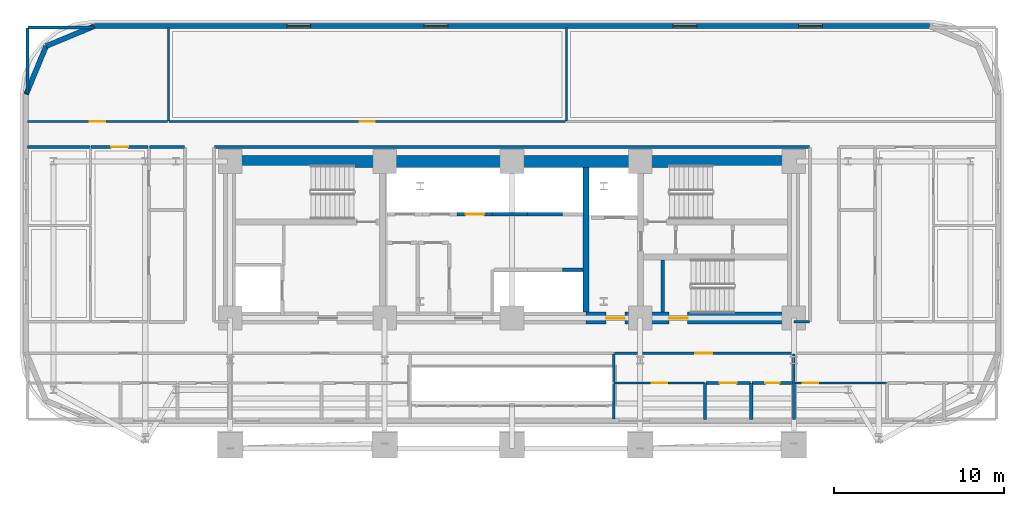
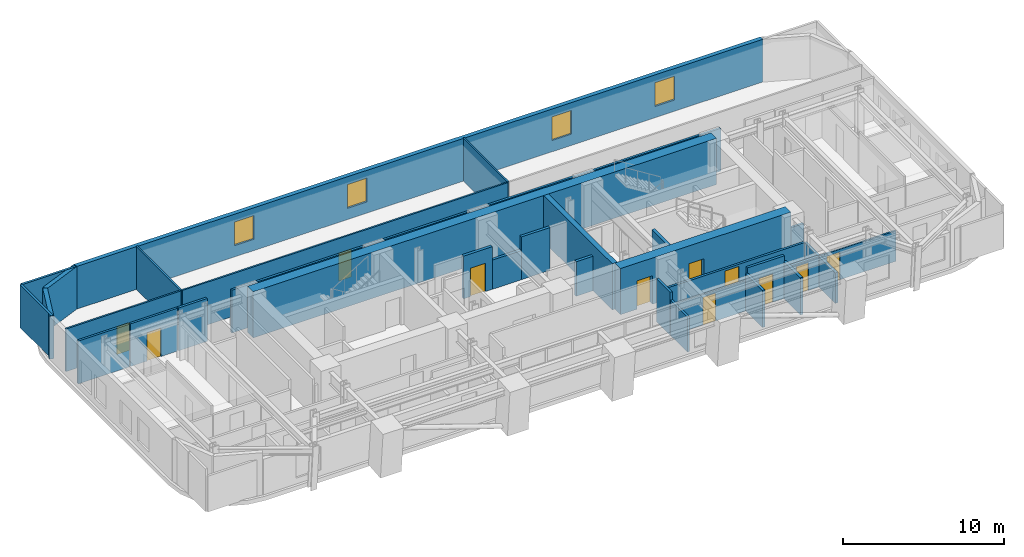
# One storey, part 10 of 16: 33 walls, 11 doors, 4 windows, 15 openings.
"""IFC4 building model written with IfcOpenShell, lengths in metres."""

from ifc_helpers import new_model, si_unit, direction, frame, frame_2d, origin, place, context, subcontext, project, spatial, rectangle, extrude, material, layer, layer_set, type_object, element, fill, save


model = new_model("IFC4")

# Units and contexts
model_context = context("Model", 3, precision=1e-05, world=origin(), true_north=direction((0.0, 1.0)))
body_context = subcontext(model_context, "Body", "Model", "MODEL_VIEW")
ifc_project = project(units=[si_unit("LENGTHUNIT", "METRE"), si_unit("AREAUNIT", "SQUARE_METRE"), si_unit("VOLUMEUNIT", "CUBIC_METRE"), si_unit("PLANEANGLEUNIT", "RADIAN"), si_unit("MASSUNIT", "GRAM", prefix="KILO")], contexts=[model_context])

# Site, building, storey
site_placement = place(None, origin())
site = spatial("IfcSite", under=ifc_project, at=site_placement, CompositionType="ELEMENT")
building_placement = place(site_placement, origin())
building = spatial("IfcBuilding", under=site, at=building_placement, Name="Zarnavel Station Tower", CompositionType="ELEMENT")
storey_placement = place(building_placement, frame((0.0, 0.0, 64.0)))
storey = spatial("IfcBuildingStorey", under=building, at=storey_placement, Name="L17", CompositionType="ELEMENT", Elevation=64.0)

# Walls
ifc_material_1 = material(Name="Concrete C50/60", Category="concrete")
ifc_layer_1 = layer(ifc_material_1, 0.35009765625)
ifc_layer_set_1 = layer_set([ifc_layer_1], Name="CW_350")
wall_type_1 = type_object("IfcWallType", Name="CW_350", PredefinedType="SHEAR", material=ifc_layer_set_1)
wall_1_placement = place(storey_placement, frame((33.14990234375, 28.169921875, 0.0), z_axis=(0.0, 0.0, 1.0), x_axis=(0.0, 1.0, 0.0)))
element("IfcWall", 1, at=wall_1_placement, inside=storey, type_object=wall_type_1, Name="L17 Rear Core Shear Wall DIV-E", PredefinedType="SHEAR", context=body_context, shape_type="SweptSolid", body=[
    extrude(rectangle(XDim=8.530029296875, YDim=0.35009765625, at=frame_2d((4.26513671875, 0.0))), origin(), (0.0, 0.0, 1.0), 3.5),
])
ifc_material_2 = material(Name="Concrete C60/75", Category="concrete")
ifc_layer_2 = layer(ifc_material_2, 0.699951171875)
ifc_layer_set_2 = layer_set([ifc_layer_2], Name="CW_700")
wall_type_2 = type_object("IfcWallType", Name="CW_700", PredefinedType="SHEAR", material=ifc_layer_set_2)
wall_2_placement = place(storey_placement, frame((12.14990234375, 37.050048828125, 0.0), z_axis=(0.0, 0.0, 1.0), x_axis=(1.0, 0.0, 0.0)))
element("IfcWall", 2, at=wall_2_placement, inside=storey, type_object=wall_type_2, Name="L17 Rear Core Shear Wall N", PredefinedType="SHEAR", context=body_context, shape_type="SweptSolid", body=[
    extrude(rectangle(XDim=33.22998046875, YDim=0.699951171875, at=frame_2d((16.614990234375, 0.0))), origin(), (0.0, 0.0, 1.0), 3.5),
])

# Wall, openings, doors
wall_3_placement = place(storey_placement, frame((45.3798828125, 27.820068359375, 0.0), z_axis=(0.0, 0.0, 1.0), x_axis=(-1.0, 0.0, 0.0)))
wall_3 = element("IfcWall", 3, at=wall_3_placement, inside=storey, type_object=wall_type_2, Name="L17 Rear Core Shear Wall S-E", PredefinedType="SHEAR", context=body_context, shape_type="SweptSolid", body=[
    extrude(rectangle(XDim=12.22998046875, YDim=0.699951171875, at=frame_2d((6.114990234375, 0.0))), origin(), (0.0, 0.0, 1.0), 3.5),
])
opening_1_placement = place(wall_3_placement, frame((9.929931640625, 0.0, 0.0)))
opening_1 = element("IfcOpeningElement", 4, at=opening_1_placement, cuts=wall_3, Name="Opening FD01", PredefinedType="OPENING", context=body_context, shape_type="SweptSolid", body=[
    extrude(rectangle(XDim=1.10009765625, YDim=2.14990234375, at=frame_2d((0.550048828125, 1.074951171875))), frame((0.0, 0.35986328125, 0.0), z_axis=(0.0, -1.0, 0.0), x_axis=(1.0, 0.0, 0.0)), (0.0, 0.0, 1.0), 0.719970703125),
])
opening_2_placement = place(wall_3_placement, frame((6.22998046875, 0.0, 0.0)))
opening_2 = element("IfcOpeningElement", 5, at=opening_2_placement, cuts=wall_3, Name="Opening FD01", PredefinedType="OPENING", context=body_context, shape_type="SweptSolid", body=[
    extrude(rectangle(XDim=1.10009765625, YDim=2.14990234375, at=frame_2d((0.550048828125, 1.074951171875))), frame((0.0, 0.35986328125, 0.0), z_axis=(0.0, -1.0, 0.0), x_axis=(1.0, 0.0, 0.0)), (0.0, 0.0, 1.0), 0.719970703125),
])
ifc_material_3 = material(Name="Painted Galvanised Steel and Hardwood Leaf", Category="steel")
door_type_1 = type_object("IfcDoorType", Name="ID_STAIR_1100", OperationType="NOTDEFINED", PredefinedType="DOOR", material=ifc_material_3)
door_1_placement = place(opening_1_placement, origin())
door_1 = element("IfcDoor", 6, at=door_1_placement, inside=storey, type_object=door_type_1, Name="L17 East Firefighting Lobby Door", OperationType="SINGLE_SWING_LEFT", OverallHeight=2.14990234375, OverallWidth=1.10009765625, PredefinedType="DOOR", context=body_context, shape_type="SweptSolid", body=[
    extrude(rectangle(XDim=1.10009765625, YDim=2.14990234375, at=frame_2d((0.550048828125, 1.074951171875))), frame((0.0, 0.02490234375, 0.0), z_axis=(0.0, -1.0, 0.0), x_axis=(1.0, 0.0, 0.0)), (0.0, 0.0, 1.0), 0.050048828125),
])
fill(opening_1, door_1)
door_2_placement = place(opening_2_placement, origin())
door_2 = element("IfcDoor", 7, at=door_2_placement, inside=storey, type_object=door_type_1, Name="L17 Stair ST3 Corridor Fire Door", OperationType="SINGLE_SWING_RIGHT", OverallHeight=2.14990234375, OverallWidth=1.10009765625, PredefinedType="DOOR", context=body_context, shape_type="SweptSolid", body=[
    extrude(rectangle(XDim=1.10009765625, YDim=2.14990234375, at=frame_2d((0.550048828125, 1.074951171875))), frame((0.0, 0.02490234375, 0.0), z_axis=(0.0, -1.0, 0.0), x_axis=(1.0, 0.0, 0.0)), (0.0, 0.0, 1.0), 0.050048828125),
])
fill(opening_2, door_2)

# Wall, openings, windows
ifc_material_4 = material(Name="Precast concrete C45/55 (Dark Basalt Finish)", Category="masonry")
ifc_layer_3 = layer(ifc_material_4, 0.300048828125)
ifc_layer_set_3 = layer_set([ifc_layer_3], Name="EW_BASALT_300")
wall_type_3 = type_object("IfcWallType", Name="EW_BASALT_300", PredefinedType="SOLIDWALL", material=ifc_layer_set_3)
wall_4_placement = place(storey_placement, frame((4.199951171875, 45.02001953125, 0.0), z_axis=(0.0, 0.0, 1.0), x_axis=(1.0, 0.0, 0.0)))
wall_4 = element("IfcWall", 8, at=wall_4_placement, inside=storey, type_object=wall_type_3, Name="L17 Exterior Basalt Masonry Frame Wall 06", PredefinedType="SOLIDWALL", context=body_context, shape_type="SweptSolid", body=[
    extrude(rectangle(XDim=49.199951171875, YDim=0.300048828125, at=frame_2d((24.60009765625, 0.0))), origin(), (0.0, 0.0, 1.0), 3.239990234375),
])
opening_3_placement = place(wall_4_placement, frame((11.340087890625, 0.0, 0.85009765625)))
opening_3 = element("IfcOpeningElement", 9, at=opening_3_placement, cuts=wall_4, Name="Opening WN01", PredefinedType="OPENING", context=body_context, shape_type="SweptSolid", body=[
    extrude(rectangle(XDim=1.39990234375, YDim=1.800048828125, at=frame_2d((0.699951171875, 0.89990234375))), frame((0.0, 0.159912109375, 0.0), z_axis=(0.0, -1.0, 0.0), x_axis=(1.0, 0.0, 0.0)), (0.0, 0.0, 1.0), 0.320068359375),
])
opening_4_placement = place(wall_4_placement, frame((19.419921875, 0.0, 0.85009765625)))
opening_4 = element("IfcOpeningElement", 10, at=opening_4_placement, cuts=wall_4, Name="Opening WN01", PredefinedType="OPENING", context=body_context, shape_type="SweptSolid", body=[
    extrude(rectangle(XDim=1.39990234375, YDim=1.800048828125, at=frame_2d((0.699951171875, 0.89990234375))), frame((0.0, 0.159912109375, 0.0), z_axis=(0.0, -1.0, 0.0), x_axis=(1.0, 0.0, 0.0)), (0.0, 0.0, 1.0), 0.320068359375),
])
opening_5_placement = place(wall_4_placement, frame((34.09326171875, 0.0, 0.85009765625)))
opening_5 = element("IfcOpeningElement", 11, at=opening_5_placement, cuts=wall_4, Name="Opening WN01", PredefinedType="OPENING", context=body_context, shape_type="SweptSolid", body=[
    extrude(rectangle(XDim=1.39990234375, YDim=1.800048828125, at=frame_2d((0.699951171875, 0.89990234375))), frame((0.0, 0.159912109375, 0.0), z_axis=(0.0, -1.0, 0.0), x_axis=(1.0, 0.0, 0.0)), (0.0, 0.0, 1.0), 0.320068359375),
])
opening_6_placement = place(wall_4_placement, frame((41.48681640625, 0.0, 0.85009765625)))
opening_6 = element("IfcOpeningElement", 12, at=opening_6_placement, cuts=wall_4, Name="Opening WN01", PredefinedType="OPENING", context=body_context, shape_type="SweptSolid", body=[
    extrude(rectangle(XDim=1.39990234375, YDim=1.800048828125, at=frame_2d((0.699951171875, 0.89990234375))), frame((0.0, 0.159912109375, 0.0), z_axis=(0.0, -1.0, 0.0), x_axis=(1.0, 0.0, 0.0)), (0.0, 0.0, 1.0), 0.320068359375),
])
ifc_material_5 = material(Name="Thermally Broken Black Aluminium and Low-E Dark Glass", Category="aluminium")
window_type = type_object("IfcWindowType", Name="WN_1400x1800", PartitioningType="DOUBLE_PANEL_VERTICAL", PredefinedType="WINDOW", material=ifc_material_5)
window_1_placement = place(opening_3_placement, origin())
window_1 = element("IfcWindow", 13, at=window_1_placement, inside=storey, type_object=window_type, Name="L17 Recessed Facade Window 01", OverallHeight=1.800048828125, OverallWidth=1.39990234375, PartitioningType="SINGLE_PANEL", PredefinedType="WINDOW", context=body_context, shape_type="SweptSolid", body=[
    extrude(rectangle(XDim=1.39990234375, YDim=1.800048828125, at=frame_2d((0.699951171875, 0.89990234375))), frame((0.0, 0.030029296875, 0.0), z_axis=(0.0, -1.0, 0.0), x_axis=(1.0, 0.0, 0.0)), (0.0, 0.0, 1.0), 0.06005859375),
])
fill(opening_3, window_1)
window_2_placement = place(opening_4_placement, origin())
window_2 = element("IfcWindow", 14, at=window_2_placement, inside=storey, type_object=window_type, Name="L17 Recessed Facade Window 02", OverallHeight=1.800048828125, OverallWidth=1.39990234375, PartitioningType="SINGLE_PANEL", PredefinedType="WINDOW", context=body_context, shape_type="SweptSolid", body=[
    extrude(rectangle(XDim=1.39990234375, YDim=1.800048828125, at=frame_2d((0.699951171875, 0.89990234375))), frame((0.0, 0.030029296875, 0.0), z_axis=(0.0, -1.0, 0.0), x_axis=(1.0, 0.0, 0.0)), (0.0, 0.0, 1.0), 0.06005859375),
])
fill(opening_4, window_2)
window_3_placement = place(opening_5_placement, origin())
window_3 = element("IfcWindow", 15, at=window_3_placement, inside=storey, type_object=window_type, Name="L17 Recessed Facade Window 03", OverallHeight=1.800048828125, OverallWidth=1.39990234375, PartitioningType="SINGLE_PANEL", PredefinedType="WINDOW", context=body_context, shape_type="SweptSolid", body=[
    extrude(rectangle(XDim=1.39990234375, YDim=1.800048828125, at=frame_2d((0.699951171875, 0.89990234375))), frame((0.0, 0.030029296875, 0.0), z_axis=(0.0, -1.0, 0.0), x_axis=(1.0, 0.0, 0.0)), (0.0, 0.0, 1.0), 0.06005859375),
])
fill(opening_5, window_3)
window_4_placement = place(opening_6_placement, origin())
window_4 = element("IfcWindow", 16, at=window_4_placement, inside=storey, type_object=window_type, Name="L17 Recessed Facade Window 04", OverallHeight=1.800048828125, OverallWidth=1.39990234375, PartitioningType="SINGLE_PANEL", PredefinedType="WINDOW", context=body_context, shape_type="SweptSolid", body=[
    extrude(rectangle(XDim=1.39990234375, YDim=1.800048828125, at=frame_2d((0.699951171875, 0.89990234375))), frame((0.0, 0.030029296875, 0.0), z_axis=(0.0, -1.0, 0.0), x_axis=(1.0, 0.0, 0.0)), (0.0, 0.0, 1.0), 0.06005859375),
])
fill(opening_6, window_4)

# Walls
for number, where, z_axis, x_axis, name in (
    (17, (1.357421875, 43.842529296875, 0.0), (0.0, 0.0, 1.0), (0.923870793506, 0.382704529509, 0.0), "L17 Exterior Basalt Masonry Frame Wall 07"),
    (18, (0.179931640625, 41.0, 0.0), (0.0, 0.0, 1.0), (0.382704529509, 0.923870793506, 0.0), "L17 Exterior Basalt Masonry Frame Wall 08"),
):
    element("IfcWall", number, at=place(storey_placement, frame(where, z_axis=z_axis, x_axis=x_axis)), inside=storey, type_object=wall_type_3, Name=name, PredefinedType="SOLIDWALL", context=body_context, shape_type="SweptSolid", body=[
        extrude(rectangle(XDim=3.07666015625, YDim=0.300048828125, at=frame_2d((1.538330078125, 0.0))), origin(), (0.0, 0.0, 1.0), 3.239990234375),
    ])

# Wall, opening, door
ifc_material_6 = material(Name="Gypsum Twin-Stud Acoustic Fire Partition", Category="concrete")
ifc_layer_4 = layer(ifc_material_6, 0.159912109375)
ifc_layer_set_4 = layer_set([ifc_layer_4], Name="PT_DEMISE_160")
wall_type_4 = type_object("IfcWallType", Name="PT_DEMISE_160", PredefinedType="PARTITIONING", material=ifc_layer_set_4)
wall_5_placement = place(storey_placement, frame((34.840087890625, 25.75, 0.0), z_axis=(0.0, 0.0, 1.0), x_axis=(1.0, 0.0, 0.0)))
wall_5 = element("IfcWall", 19, at=wall_5_placement, inside=storey, type_object=wall_type_4, Name="L17 Partition COR-S-UE1LV", PredefinedType="PARTITIONING", context=body_context, shape_type="SweptSolid", body=[
    extrude(rectangle(XDim=10.52001953125, YDim=0.159912109375, at=frame_2d((5.260009765625, 0.0))), origin(), (0.0, 0.0, 1.0), 2.31005859375),
])
opening_7_placement = place(wall_5_placement, frame((4.760009765625, 0.0, 0.0)))
opening_7 = element("IfcOpeningElement", 20, at=opening_7_placement, cuts=wall_5, Name="Opening FD02", PredefinedType="OPENING", context=body_context, shape_type="SweptSolid", body=[
    extrude(rectangle(XDim=1.0, YDim=2.14990234375, at=frame_2d((0.5, 1.074951171875))), frame((0.0, 0.08984375, 0.0), z_axis=(0.0, -1.0, 0.0), x_axis=(1.0, 0.0, 0.0)), (0.0, 0.0, 1.0), 0.179931640625),
])
ifc_material_7 = material(Name="Painted Galvanised Steel and Hardwood Leaf", Category="steel")
door_type_2 = type_object("IfcDoorType", Name="ID_ENTRY_1000", OperationType="NOTDEFINED", PredefinedType="DOOR", material=ifc_material_7)
door_3_placement = place(opening_7_placement, origin())
door_3 = element("IfcDoor", 21, at=door_3_placement, inside=storey, type_object=door_type_2, Name="L17 Door COR-S-UE1LV", OperationType="SINGLE_SWING_RIGHT", OverallHeight=2.14990234375, OverallWidth=1.0, PredefinedType="DOOR", context=body_context, shape_type="SweptSolid", body=[
    extrude(rectangle(XDim=1.0, YDim=2.14990234375, at=frame_2d((0.5, 1.074951171875))), frame((0.0, 0.02490234375, 0.0), z_axis=(0.0, -1.0, 0.0), x_axis=(1.0, 0.0, 0.0)), (0.0, 0.0, 1.0), 0.050048828125),
])
fill(opening_7, door_3)

wall_6_placement = place(storey_placement, frame((4.01611328125, 37.89990234375, 0.0), z_axis=(0.0, 0.0, 1.0), x_axis=(1.0, 0.0, 0.0)))
wall_6 = element("IfcWall", 22, at=wall_6_placement, inside=storey, type_object=wall_type_4, Name="L17 Partition COR-N-FNWLV", PredefinedType="PARTITIONING", context=body_context, shape_type="SweptSolid", body=[
    extrude(rectangle(XDim=3.35693359375, YDim=0.159912109375, at=frame_2d((1.678466796875, 0.0))), origin(), (0.0, 0.0, 1.0), 3.239990234375),
])
opening_8_placement = place(wall_6_placement, frame((1.178466796875, 0.0, 0.0)))
opening_8 = element("IfcOpeningElement", 23, at=opening_8_placement, cuts=wall_6, Name="Opening FD02", PredefinedType="OPENING", context=body_context, shape_type="SweptSolid", body=[
    extrude(rectangle(XDim=1.0, YDim=2.14990234375, at=frame_2d((0.5, 1.074951171875))), frame((0.0, 0.08984375, 0.0), z_axis=(0.0, -1.0, 0.0), x_axis=(1.0, 0.0, 0.0)), (0.0, 0.0, 1.0), 0.179931640625),
])
door_4_placement = place(opening_8_placement, origin())
door_4 = element("IfcDoor", 24, at=door_4_placement, inside=storey, type_object=door_type_2, Name="L17 Door COR-N-FNWLV", OperationType="SINGLE_SWING_RIGHT", OverallHeight=2.14990234375, OverallWidth=1.0, PredefinedType="DOOR", context=body_context, shape_type="SweptSolid", body=[
    extrude(rectangle(XDim=1.0, YDim=2.14990234375, at=frame_2d((0.5, 1.074951171875))), frame((0.0, 0.02490234375, 0.0), z_axis=(0.0, -1.0, 0.0), x_axis=(1.0, 0.0, 0.0)), (0.0, 0.0, 1.0), 0.050048828125),
])
fill(opening_8, door_4)

# Walls
wall_7_placement = place(storey_placement, frame((0.260009765625, 37.89990234375, 0.0), z_axis=(0.0, 0.0, 1.0), x_axis=(1.0, 0.0, 0.0)))
element("IfcWall", 25, at=wall_7_placement, inside=storey, type_object=wall_type_4, Name="L17 Partition COR-N-FNWB2", PredefinedType="PARTITIONING", context=body_context, shape_type="SweptSolid", body=[
    extrude(rectangle(XDim=3.676025390625, YDim=0.159912109375, at=frame_2d((1.837890625, 0.0))), origin(), (0.0, 0.0, 1.0), 3.239990234375),
])
wall_8_placement = place(storey_placement, frame((45.39990234375, 24.0400390625, 0.0), z_axis=(0.0, 0.0, 1.0), x_axis=(0.0, 1.0, 0.0)))
element("IfcWall", 26, at=wall_8_placement, inside=storey, type_object=wall_type_4, Name="L17 Partition UE1LV-UE2LV", PredefinedType="PARTITIONING", context=body_context, shape_type="SweptSolid", body=[
    extrude(rectangle(XDim=1.669921875, YDim=0.159912109375, at=frame_2d((0.8349609375, 0.0))), origin(), (0.0, 0.0, 1.0), 2.31005859375),
])
wall_9_placement = place(storey_placement, frame((45.409912109375, 27.60009765625, 0.0), z_axis=(0.0, 0.0, 1.0), x_axis=(1.0, 0.0, 0.0)))
element("IfcWall", 27, at=wall_9_placement, inside=storey, type_object=wall_type_4, Name="L17 Enclosure Wall COR-S", PredefinedType="PARTITIONING", context=body_context, shape_type="SweptSolid", body=[
    extrude(rectangle(XDim=0.91015625, YDim=0.159912109375, at=frame_2d((0.455078125, 0.0))), origin(), (0.0, 0.0, 1.0), 2.280029296875),
])
wall_10_placement = place(storey_placement, frame((11.280029296875, 37.89990234375, 0.0), z_axis=(0.0, 0.0, 1.0), x_axis=(1.0, 0.0, 0.0)))
element("IfcWall", 28, at=wall_10_placement, inside=storey, type_object=wall_type_4, Name="L17 Enclosure Wall COR-N", PredefinedType="PARTITIONING", context=body_context, shape_type="SweptSolid", body=[
    extrude(rectangle(XDim=35.0400390625, YDim=0.159912109375, at=frame_2d((17.52001953125, 0.0))), origin(), (0.0, 0.0, 1.0), 3.239990234375),
])
for number, where, z_axis, x_axis, name in (
    (29, (0.2900390625, 44.93994140625, 0.0), (0.0, 0.0, 1.0), (1.0, 0.0, 0.0), "L17 Enclosure Wall HSKP"),
    (30, (0.260009765625, 41.030029296875, 0.0), (0.0, 0.0, 1.0), (0.0, 1.0, 0.0), "L17 Enclosure Wall HSKP"),
):
    element("IfcWall", number, at=place(storey_placement, frame(where, z_axis=z_axis, x_axis=x_axis)), inside=storey, type_object=wall_type_4, Name=name, PredefinedType="PARTITIONING", context=body_context, shape_type="SweptSolid", body=[
        extrude(rectangle(XDim=3.8798828125, YDim=0.159912109375, at=frame_2d((1.93994140625, 0.0))), origin(), (0.0, 0.0, 1.0), 3.239990234375),
    ])
wall_11_placement = place(storey_placement, frame((34.800048828125, 24.030029296875, 0.0), z_axis=(0.0, 0.0, 1.0), x_axis=(0.0, 1.0, 0.0)))
element("IfcWall", 31, at=wall_11_placement, inside=storey, type_object=wall_type_4, Name="L17 Enclosure Wall UE1LV", PredefinedType="PARTITIONING", context=body_context, shape_type="SweptSolid", body=[
    extrude(rectangle(XDim=1.68994140625, YDim=0.159912109375, at=frame_2d((0.844970703125, 0.0))), origin(), (0.0, 0.0, 1.0), 3.239990234375),
])
wall_12_placement = place(storey_placement, frame((34.800048828125, 21.889892578125, 0.0), z_axis=(0.0, 0.0, 1.0), x_axis=(0.0, 1.0, 0.0)))
element("IfcWall", 32, at=wall_12_placement, inside=storey, type_object=wall_type_4, Name="L17 Enclosure Wall UE1B1", PredefinedType="PARTITIONING", context=body_context, shape_type="SweptSolid", body=[
    extrude(rectangle(XDim=2.080078125, YDim=0.159912109375, at=frame_2d((1.0400390625, 0.0))), origin(), (0.0, 0.0, 1.0), 2.679931640625),
])

# Wall, opening, door
ifc_material_8 = material(Name="Gypsum Metal-Stud Interior Partition", Category="concrete")
ifc_layer_5 = layer(ifc_material_8, 0.1201171875)
ifc_layer_set_5 = layer_set([ifc_layer_5], Name="PT_ROOM_120")
wall_type_5 = type_object("IfcWallType", Name="PT_ROOM_120", PredefinedType="PARTITIONING", material=ifc_layer_set_5)
wall_13_placement = place(storey_placement, frame((0.260009765625, 39.39990234375, 0.0), z_axis=(0.0, 0.0, 1.0), x_axis=(1.0, 0.0, 0.0)))
wall_13 = element("IfcWall", 33, at=wall_13_placement, inside=storey, type_object=wall_type_5, Name="L17 Partition COR-N-HSKP", PredefinedType="PARTITIONING", context=body_context, shape_type="SweptSolid", body=[
    extrude(rectangle(XDim=8.260009765625, YDim=0.1201171875, at=frame_2d((4.1298828125, 0.0))), origin(), (0.0, 0.0, 1.0), 3.239990234375),
])
opening_9_placement = place(wall_13_placement, frame((3.679931640625, 0.0, 0.0)))
opening_9 = element("IfcOpeningElement", 34, at=opening_9_placement, cuts=wall_13, Name="Opening ID01", PredefinedType="OPENING", context=body_context, shape_type="SweptSolid", body=[
    extrude(rectangle(XDim=0.89990234375, YDim=2.10009765625, at=frame_2d((0.449951171875, 1.050048828125))), frame((0.0, 0.070068359375, 0.0), z_axis=(0.0, -1.0, 0.0), x_axis=(1.0, 0.0, 0.0)), (0.0, 0.0, 1.0), 0.14013671875),
])
ifc_material_9 = material(Name="Painted Galvanised Steel and Hardwood Leaf", Category="steel")
door_type_3 = type_object("IfcDoorType", Name="ID_ROOM_900", OperationType="NOTDEFINED", PredefinedType="DOOR", material=ifc_material_9)
door_5_placement = place(opening_9_placement, origin())
door_5 = element("IfcDoor", 35, at=door_5_placement, inside=storey, type_object=door_type_3, Name="L17 Door COR-N-HSKP", OperationType="SINGLE_SWING_RIGHT", OverallHeight=2.10009765625, OverallWidth=0.89990234375, PredefinedType="DOOR", context=body_context, shape_type="SweptSolid", body=[
    extrude(rectangle(XDim=0.89990234375, YDim=2.10009765625, at=frame_2d((0.449951171875, 1.050048828125))), frame((0.0, 0.02490234375, 0.0), z_axis=(0.0, -1.0, 0.0), x_axis=(1.0, 0.0, 0.0)), (0.0, 0.0, 1.0), 0.050048828125),
])
fill(opening_9, door_5)

wall_14_placement = place(storey_placement, frame((8.60009765625, 39.39990234375, 0.0), z_axis=(0.0, 0.0, 1.0), x_axis=(1.0, 0.0, 0.0)))
wall_14 = element("IfcWall", 36, at=wall_14_placement, inside=storey, type_object=wall_type_5, Name="L17 Partition COR-N-NL5A", PredefinedType="PARTITIONING", context=body_context, shape_type="SweptSolid", body=[
    extrude(rectangle(XDim=23.35986328125, YDim=0.1201171875, at=frame_2d((11.679931640625, 0.0))), origin(), (0.0, 0.0, 1.0), 3.239990234375),
])
opening_10_placement = place(wall_14_placement, frame((11.22998046875, 0.0, 0.0)))
opening_10 = element("IfcOpeningElement", 37, at=opening_10_placement, cuts=wall_14, Name="Opening ID01", PredefinedType="OPENING", context=body_context, shape_type="SweptSolid", body=[
    extrude(rectangle(XDim=0.89990234375, YDim=2.10009765625, at=frame_2d((0.449951171875, 1.050048828125))), frame((0.0, 0.070068359375, 0.0), z_axis=(0.0, -1.0, 0.0), x_axis=(1.0, 0.0, 0.0)), (0.0, 0.0, 1.0), 0.14013671875),
])
door_6_placement = place(opening_10_placement, origin())
door_6 = element("IfcDoor", 38, at=door_6_placement, inside=storey, type_object=door_type_3, Name="L17 Door COR-N-NL5A", OperationType="SINGLE_SWING_LEFT", OverallHeight=2.10009765625, OverallWidth=0.89990234375, PredefinedType="DOOR", context=body_context, shape_type="SweptSolid", body=[
    extrude(rectangle(XDim=0.89990234375, YDim=2.10009765625, at=frame_2d((0.449951171875, 1.050048828125))), frame((0.0, 0.02490234375, 0.0), z_axis=(0.0, -1.0, 0.0), x_axis=(1.0, 0.0, 0.0)), (0.0, 0.0, 1.0), 0.050048828125),
])
fill(opening_10, door_6)

# Walls
for number, where, z_axis, x_axis, name in (
    (39, (8.56005859375, 39.43994140625, 0.0), (0.0, 0.0, 1.0), (0.0, 1.0, 0.0), "L17 Partition HSKP-NL5A"),
    (40, (32.0, 39.43994140625, 0.0), (0.0, 0.0, 1.0), (0.0, 1.0, 0.0), "L17 Partition NL5A-NL5B"),
):
    element("IfcWall", number, at=place(storey_placement, frame(where, z_axis=z_axis, x_axis=x_axis)), inside=storey, type_object=wall_type_5, Name=name, PredefinedType="PARTITIONING", context=body_context, shape_type="SweptSolid", body=[
        extrude(rectangle(XDim=5.5, YDim=0.1201171875, at=frame_2d((2.75, 0.0))), origin(), (0.0, 0.0, 1.0), 3.239990234375),
    ])

# Wall, opening, door
wall_15_placement = place(storey_placement, frame((34.840087890625, 24.0, 0.0), z_axis=(0.0, 0.0, 1.0), x_axis=(1.0, 0.0, 0.0)))
wall_15 = element("IfcWall", 41, at=wall_15_placement, inside=storey, type_object=wall_type_5, Name="L17 Partition UE1LV-UE1B1", PredefinedType="PARTITIONING", context=body_context, shape_type="SweptSolid", body=[
    extrude(rectangle(XDim=5.2939453125, YDim=0.1201171875, at=frame_2d((2.64697265625, 0.0))), origin(), (0.0, 0.0, 1.0), 2.31005859375),
])
opening_11_placement = place(wall_15_placement, frame((2.197021484375, 0.0, 0.0)))
opening_11 = element("IfcOpeningElement", 42, at=opening_11_placement, cuts=wall_15, Name="Opening ID01", PredefinedType="OPENING", context=body_context, shape_type="SweptSolid", body=[
    extrude(rectangle(XDim=0.89990234375, YDim=2.10009765625, at=frame_2d((0.449951171875, 1.050048828125))), frame((0.0, 0.070068359375, 0.0), z_axis=(0.0, -1.0, 0.0), x_axis=(1.0, 0.0, 0.0)), (0.0, 0.0, 1.0), 0.14013671875),
])
door_7_placement = place(opening_11_placement, origin())
door_7 = element("IfcDoor", 43, at=door_7_placement, inside=storey, type_object=door_type_3, Name="L17 Door UE1LV-UE1B1", OperationType="SINGLE_SWING_LEFT", OverallHeight=2.10009765625, OverallWidth=0.89990234375, PredefinedType="DOOR", context=body_context, shape_type="SweptSolid", body=[
    extrude(rectangle(XDim=0.89990234375, YDim=2.10009765625, at=frame_2d((0.449951171875, 1.050048828125))), frame((0.0, 0.02490234375, 0.0), z_axis=(0.0, -1.0, 0.0), x_axis=(1.0, 0.0, 0.0)), (0.0, 0.0, 1.0), 0.050048828125),
])
fill(opening_11, door_7)

wall_16_placement = place(storey_placement, frame((45.43994140625, 24.0, 0.0), z_axis=(0.0, 0.0, 1.0), x_axis=(1.0, 0.0, 0.0)))
wall_16 = element("IfcWall", 44, at=wall_16_placement, inside=storey, type_object=wall_type_5, Name="L17 Partition UE2LV-UE2B1", PredefinedType="PARTITIONING", context=body_context, shape_type="SweptSolid", body=[
    extrude(rectangle(XDim=5.412109375, YDim=0.1201171875, at=frame_2d((2.7060546875, 0.0))), origin(), (0.0, 0.0, 1.0), 2.31005859375),
])
opening_12_placement = place(wall_16_placement, frame((0.49267578125, 0.0, 0.0)))
opening_12 = element("IfcOpeningElement", 45, at=opening_12_placement, cuts=wall_16, Name="Opening ID01", PredefinedType="OPENING", context=body_context, shape_type="SweptSolid", body=[
    extrude(rectangle(XDim=0.89990234375, YDim=2.10009765625, at=frame_2d((0.449951171875, 1.050048828125))), frame((0.0, 0.070068359375, 0.0), z_axis=(0.0, -1.0, 0.0), x_axis=(1.0, 0.0, 0.0)), (0.0, 0.0, 1.0), 0.14013671875),
])
door_8_placement = place(opening_12_placement, origin())
door_8 = element("IfcDoor", 46, at=door_8_placement, inside=storey, type_object=door_type_3, Name="L17 Door UE2LV-UE2B1", OperationType="SINGLE_SWING_RIGHT", OverallHeight=2.10009765625, OverallWidth=0.89990234375, PredefinedType="DOOR", context=body_context, shape_type="SweptSolid", body=[
    extrude(rectangle(XDim=0.89990234375, YDim=2.10009765625, at=frame_2d((0.449951171875, 1.050048828125))), frame((0.0, 0.02490234375, 0.0), z_axis=(0.0, -1.0, 0.0), x_axis=(1.0, 0.0, 0.0)), (0.0, 0.0, 1.0), 0.050048828125),
])
fill(opening_12, door_8)

# Wall
ifc_material_10 = material(Name="Precast concrete C45/55 (Fire Shaft Blockwork)", Category="masonry")
ifc_layer_6 = layer(ifc_material_10, 0.199951171875)
ifc_layer_set_6 = layer_set([ifc_layer_6], Name="PT_SHAFT_200")
wall_type_6 = type_object("IfcWallType", Name="PT_SHAFT_200", PredefinedType="PARTITIONING", material=ifc_layer_set_6)
wall_17_placement = place(storey_placement, frame((31.77490234375, 30.669921875, 0.0), z_axis=(0.0, 0.0, 1.0), x_axis=(1.0, 0.0, 0.0)))
element("IfcWall", 47, at=wall_17_placement, inside=storey, type_object=wall_type_6, Name="L17 Lift PL-H3 Shaft Front Wall", PredefinedType="PARTITIONING", context=body_context, shape_type="SweptSolid", body=[
    extrude(rectangle(XDim=1.2001953125, YDim=0.199951171875, at=frame_2d((0.60009765625, 0.0))), origin(), (0.0, 0.0, 1.0), 2.6201171875),
])

# Wall, opening, door
wall_18_placement = place(storey_placement, frame((25.574951171875, 33.929931640625, 0.0), z_axis=(0.0, 0.0, 1.0), x_axis=(1.0, 0.0, 0.0)))
wall_18 = element("IfcWall", 48, at=wall_18_placement, inside=storey, type_object=wall_type_6, Name="L17 Lift PL-L3 Shaft Front Wall", PredefinedType="PARTITIONING", context=body_context, shape_type="SweptSolid", body=[
    extrude(rectangle(XDim=2.074951171875, YDim=0.199951171875, at=frame_2d((1.03759765625, 0.0))), origin(), (0.0, 0.0, 1.0), 3.239990234375),
])
opening_13_placement = place(wall_18_placement, frame((0.487548828125, 0.0, 0.0)))
opening_13 = element("IfcOpeningElement", 49, at=opening_13_placement, cuts=wall_18, Name="Opening LD02", PredefinedType="OPENING", context=body_context, shape_type="SweptSolid", body=[
    extrude(rectangle(XDim=1.10009765625, YDim=2.14990234375, at=frame_2d((0.550048828125, 1.074951171875))), frame((0.0, 0.10986328125, 0.0), z_axis=(0.0, -1.0, 0.0), x_axis=(1.0, 0.0, 0.0)), (0.0, 0.0, 1.0), 0.219970703125),
])
ifc_material_11 = material(Name="Painted Galvanised Steel and Hardwood Leaf", Category="steel")
door_type_4 = type_object("IfcDoorType", Name="LD_PAX_1100", OperationType="DOUBLE_DOOR_SLIDING", PredefinedType="DOOR", material=ifc_material_11)
door_9_placement = place(opening_13_placement, origin())
door_9 = element("IfcDoor", 50, at=door_9_placement, inside=storey, type_object=door_type_4, Name="L17 Lift PL-L3 Sliding Landing Door", OperationType="DOUBLE_DOOR_SLIDING", OverallHeight=2.14990234375, OverallWidth=1.10009765625, PredefinedType="DOOR", context=body_context, shape_type="SweptSolid", body=[
    extrude(rectangle(XDim=1.10009765625, YDim=2.14990234375, at=frame_2d((0.550048828125, 1.074951171875))), frame((0.0, 0.02490234375, 0.0), z_axis=(0.0, -1.0, 0.0), x_axis=(1.0, 0.0, 0.0)), (0.0, 0.0, 1.0), 0.050048828125),
])
fill(opening_13, door_9)

# Walls
wall_19_placement = place(storey_placement, frame((27.64990234375, 33.929931640625, 0.0), z_axis=(0.0, 0.0, 1.0), x_axis=(1.0, 0.0, 0.0)))
element("IfcWall", 51, at=wall_19_placement, inside=storey, type_object=wall_type_6, Name="L17 Lift PL-M1 Shaft Front Wall", PredefinedType="PARTITIONING", context=body_context, shape_type="SweptSolid", body=[
    extrude(rectangle(XDim=2.0751953125, YDim=0.199951171875, at=frame_2d((1.03759765625, 0.0))), origin(), (0.0, 0.0, 1.0), 2.2119140625),
])
wall_20_placement = place(storey_placement, frame((29.72509765625, 33.929931640625, 0.0), z_axis=(0.0, 0.0, 1.0), x_axis=(1.0, 0.0, 0.0)))
element("IfcWall", 52, at=wall_20_placement, inside=storey, type_object=wall_type_6, Name="L17 Lift PL-M2 Shaft Front Wall", PredefinedType="PARTITIONING", context=body_context, shape_type="SweptSolid", body=[
    extrude(rectangle(XDim=2.0498046875, YDim=0.199951171875, at=frame_2d((1.02490234375, 0.0))), origin(), (0.0, 0.0, 1.0), 3.239990234375),
])
wall_21_placement = place(storey_placement, frame((37.679931640625, 28.169921875, 0.0), z_axis=(0.0, 0.0, 1.0), x_axis=(0.0, 1.0, 0.0)))
element("IfcWall", 53, at=wall_21_placement, inside=storey, type_object=wall_type_6, Name="L17 Stair ST3 West Shaft Wall", PredefinedType="PARTITIONING", context=body_context, shape_type="SweptSolid", body=[
    extrude(rectangle(XDim=3.080078125, YDim=0.199951171875, at=frame_2d((1.5400390625, 0.0))), origin(), (0.0, 0.0, 1.0), 2.6201171875),
])
ifc_material_12 = material(Name="Moisture-Resistant Plumbing Chase Wall", Category="concrete")
ifc_layer_7 = layer(ifc_material_12, 0.179931640625)
ifc_layer_set_7 = layer_set([ifc_layer_7], Name="PW_PLUMB_180")
wall_type_7 = type_object("IfcWallType", Name="PW_PLUMB_180", PredefinedType="PLUMBINGWALL", material=ifc_layer_set_7)
wall_22_placement = place(storey_placement, frame((7.452880859375, 37.89990234375, 0.0), z_axis=(0.0, 0.0, 1.0), x_axis=(1.0, 0.0, 0.0)))
element("IfcWall", 54, at=wall_22_placement, inside=storey, type_object=wall_type_7, Name="L17 Partition COR-N-FNWBA", PredefinedType="PLUMBINGWALL", context=body_context, shape_type="SweptSolid", body=[
    extrude(rectangle(XDim=2.05712890625, YDim=0.179931640625, at=frame_2d((1.028564453125, 0.0))), origin(), (0.0, 0.0, 1.0), 3.239990234375),
])

# Wall, opening, door
wall_23_placement = place(storey_placement, frame((40.214111328125, 24.0, 0.0), z_axis=(0.0, 0.0, 1.0), x_axis=(1.0, 0.0, 0.0)))
wall_23 = element("IfcWall", 55, at=wall_23_placement, inside=storey, type_object=wall_type_7, Name="L17 Partition UE1LV-UE1KT", PredefinedType="PLUMBINGWALL", context=body_context, shape_type="SweptSolid", body=[
    extrude(rectangle(XDim=2.637939453125, YDim=0.179931640625, at=frame_2d((1.31884765625, 0.0))), origin(), (0.0, 0.0, 1.0), 3.239990234375),
])
opening_14_placement = place(wall_23_placement, frame((0.819091796875, 0.0, 0.0)))
opening_14 = element("IfcOpeningElement", 56, at=opening_14_placement, cuts=wall_23, Name="Opening FD02", PredefinedType="OPENING", context=body_context, shape_type="SweptSolid", body=[
    extrude(rectangle(XDim=1.0, YDim=2.14990234375, at=frame_2d((0.5, 1.074951171875))), frame((0.0, 0.099853515625, 0.0), z_axis=(0.0, -1.0, 0.0), x_axis=(1.0, 0.0, 0.0)), (0.0, 0.0, 1.0), 0.199951171875),
])
door_10_placement = place(opening_14_placement, origin())
door_10 = element("IfcDoor", 57, at=door_10_placement, inside=storey, type_object=door_type_2, Name="L17 Door UE1LV-UE1KT", OperationType="SINGLE_SWING_RIGHT", OverallHeight=2.14990234375, OverallWidth=1.0, PredefinedType="DOOR", context=body_context, shape_type="SweptSolid", body=[
    extrude(rectangle(XDim=1.0, YDim=2.14990234375, at=frame_2d((0.5, 1.074951171875))), frame((0.0, 0.02490234375, 0.0), z_axis=(0.0, -1.0, 0.0), x_axis=(1.0, 0.0, 0.0)), (0.0, 0.0, 1.0), 0.050048828125),
])
fill(opening_14, door_10)

wall_24_placement = place(storey_placement, frame((42.931884765625, 24.0, 0.0), z_axis=(0.0, 0.0, 1.0), x_axis=(1.0, 0.0, 0.0)))
wall_24 = element("IfcWall", 58, at=wall_24_placement, inside=storey, type_object=wall_type_7, Name="L17 Partition UE1LV-UE1BA", PredefinedType="PLUMBINGWALL", context=body_context, shape_type="SweptSolid", body=[
    extrude(rectangle(XDim=2.42822265625, YDim=0.179931640625, at=frame_2d((1.214111328125, 0.0))), origin(), (0.0, 0.0, 1.0), 2.31005859375),
])
opening_15_placement = place(wall_24_placement, frame((0.7890625, 0.0, 0.0)))
opening_15 = element("IfcOpeningElement", 59, at=opening_15_placement, cuts=wall_24, Name="Opening ID02", PredefinedType="OPENING", context=body_context, shape_type="SweptSolid", body=[
    extrude(rectangle(XDim=0.85009765625, YDim=2.10009765625, at=frame_2d((0.425048828125, 1.050048828125))), frame((0.0, 0.099853515625, 0.0), z_axis=(0.0, -1.0, 0.0), x_axis=(1.0, 0.0, 0.0)), (0.0, 0.0, 1.0), 0.199951171875),
])
ifc_material_13 = material(Name="Painted Galvanised Steel and Hardwood Leaf", Category="steel")
door_type_5 = type_object("IfcDoorType", Name="ID_BATH_850", OperationType="NOTDEFINED", PredefinedType="DOOR", material=ifc_material_13)
door_11_placement = place(opening_15_placement, origin())
door_11 = element("IfcDoor", 60, at=door_11_placement, inside=storey, type_object=door_type_5, Name="L17 Door UE1LV-UE1BA", OperationType="SINGLE_SWING_LEFT", OverallHeight=2.10009765625, OverallWidth=0.85009765625, PredefinedType="DOOR", context=body_context, shape_type="SweptSolid", body=[
    extrude(rectangle(XDim=0.85009765625, YDim=2.10009765625, at=frame_2d((0.425048828125, 1.050048828125))), frame((0.0, 0.02490234375, 0.0), z_axis=(0.0, -1.0, 0.0), x_axis=(1.0, 0.0, 0.0)), (0.0, 0.0, 1.0), 0.050048828125),
])
fill(opening_15, door_11)

# Walls
for number, where, z_axis, x_axis, name in (
    (61, (40.174072265625, 21.860107421875, 0.0), (0.0, 0.0, 1.0), (0.0, 1.0, 0.0), "L17 Partition UE1B1-UE1KT"),
    (62, (42.89208984375, 21.860107421875, 0.0), (0.0, 0.0, 1.0), (0.0, 1.0, 0.0), "L17 Partition UE1KT-UE1BA"),
):
    element("IfcWall", number, at=place(storey_placement, frame(where, z_axis=z_axis, x_axis=x_axis)), inside=storey, type_object=wall_type_7, Name=name, PredefinedType="PLUMBINGWALL", context=body_context, shape_type="SweptSolid", body=[
        extrude(rectangle(XDim=2.099853515625, YDim=0.179931640625, at=frame_2d((1.0498046875, 0.0))), origin(), (0.0, 0.0, 1.0), 2.820068359375),
    ])
wall_25_placement = place(storey_placement, frame((45.39990234375, 21.860107421875, 0.0), z_axis=(0.0, 0.0, 1.0), x_axis=(0.0, 1.0, 0.0)))
element("IfcWall", 63, at=wall_25_placement, inside=storey, type_object=wall_type_7, Name="L17 Partition UE1BA-UE2B1", PredefinedType="PLUMBINGWALL", context=body_context, shape_type="SweptSolid", body=[
    extrude(rectangle(XDim=2.099853515625, YDim=0.179931640625, at=frame_2d((1.0498046875, 0.0))), origin(), (0.0, 0.0, 1.0), 2.31005859375),
])

save(model, "model.ifc")
